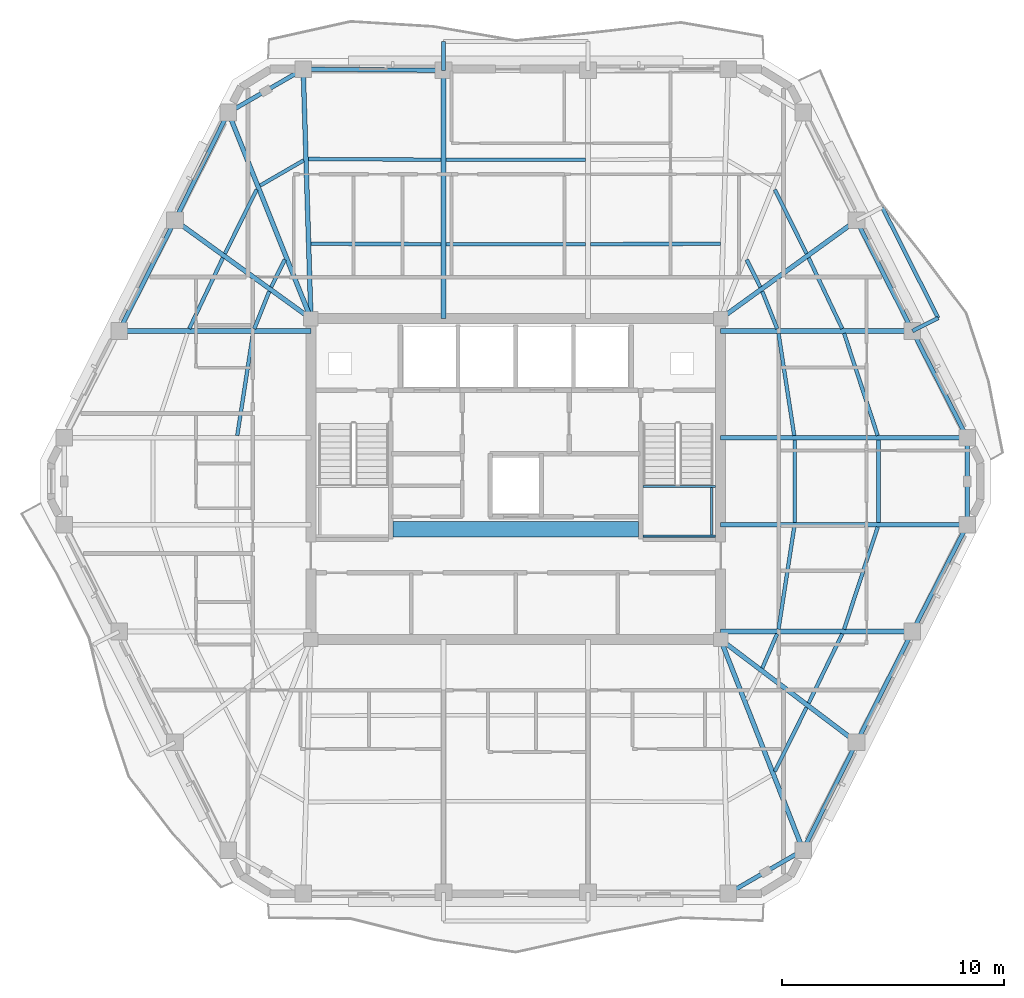
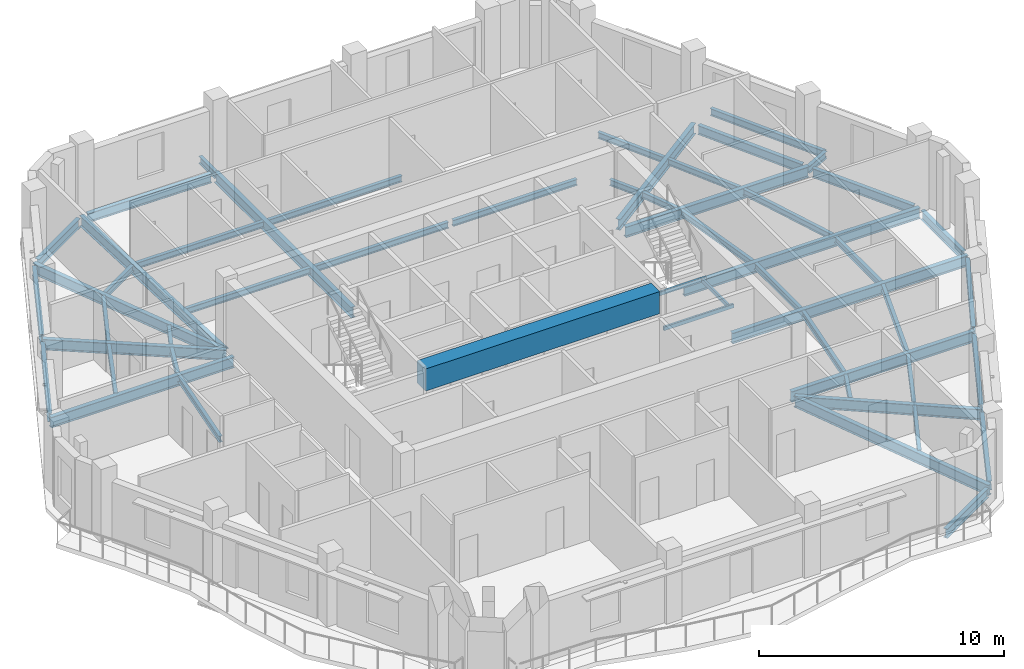
# One storey, part 2 of 11: 54 beams.
"""IFC4 building model written with IfcOpenShell, lengths in metres."""

from ifc_helpers import new_model, si_unit, direction, frame, origin, origin_2d, place, context, subcontext, project, spatial, rectangle, hollow_rectangle, i_section, extrude, material, material_profile, profile_set, type_object, element, save


model = new_model("IFC4")

# Units and contexts
model_context = context("Model", 3, precision=1e-05, world=origin(), true_north=direction((0.0, 1.0)))
body_context = subcontext(model_context, "Body", "Model", "MODEL_VIEW")
ifc_project = project(units=[si_unit("LENGTHUNIT", "METRE"), si_unit("AREAUNIT", "SQUARE_METRE"), si_unit("VOLUMEUNIT", "CUBIC_METRE"), si_unit("PLANEANGLEUNIT", "RADIAN"), si_unit("MASSUNIT", "GRAM", prefix="KILO")], contexts=[model_context])

# Site, building, storey
site_placement = place(None, origin())
site = spatial("IfcSite", under=ifc_project, at=site_placement, CompositionType="ELEMENT")
building_placement = place(site_placement, origin())
building = spatial("IfcBuilding", under=site, at=building_placement, Name="Cinnabar Lancet Tower", CompositionType="ELEMENT")
storey_placement = place(building_placement, frame((0.0, 0.0, 245.25)))
storey = spatial("IfcBuildingStorey", under=building, at=storey_placement, Name="L65", CompositionType="ELEMENT", Elevation=245.25)

# Beams
ifc_material_1 = material(Name="Concrete C70/85", Category="concrete")
ifc_material_profile_1 = material_profile(ifc_material_1, rectangle(XDim=0.699951171875, YDim=1.10009765625, at=origin_2d()), Name="RC-CB 700x1100")
ifc_profile_set_1 = profile_set([ifc_material_profile_1], Name="Concrete C70/85")
beam_type_1 = type_object("IfcBeamType", Name="STR-BM-CB-1100", PredefinedType="BEAM", material=ifc_profile_set_1)
beam_1_placement = place(storey_placement, frame((26.8798828125, 23.64990234375, 2.89990234375), z_axis=(1.0, 0.0, 0.0), x_axis=(0.0, 1.0, 0.0)))
element("IfcBeam", 1, at=beam_1_placement, inside=storey, type_object=beam_type_1, Name="L65 Core Coupling Beam", PredefinedType="BEAM", context=body_context, shape_type="SweptSolid", body=[
    extrude(rectangle(XDim=0.699951171875, YDim=1.10009765625, at=origin_2d()), origin(), (0.0, 0.0, 1.0), 11.0400390625),
])
ifc_material_2 = material(Name="Structural steel S355", Category="steel")
ifc_material_profile_2 = material_profile(ifc_material_2, i_section(OverallWidth=0.1650390625, OverallDepth=0.303466796875, WebThickness=0.006103515625, FlangeThickness=0.01025390625, FilletRadius=0.0087890625, at=origin_2d()), Name="UKB 305x165x40")
ifc_profile_set_2 = profile_set([ifc_material_profile_2], Name="Structural steel S355")
beam_type_2 = type_object("IfcBeamType", Name="STR-BM-JST-305", PredefinedType="JOIST", material=ifc_profile_set_2)
beam_2_placement = place(storey_placement, frame((44.06591796875, 12.73193359375, -0.35205078125), z_axis=(0.444391284604, 0.895832789179, 0.0), x_axis=(-0.895832789179, 0.444391284604, 0.0)))
element("IfcBeam", 2, at=beam_2_placement, inside=storey, type_object=beam_type_2, Name="L65 Secondary Floor Joist 15", PredefinedType="JOIST", context=body_context, shape_type="SweptSolid", body=[
    extrude(i_section(OverallWidth=0.1650390625, OverallDepth=0.303466796875, WebThickness=0.006103515625, FlangeThickness=0.01025390625, FilletRadius=0.0087890625, at=origin_2d()), origin(), (0.0, 0.0, 1.0), 3.220458984375),
])
beam_3_placement = place(storey_placement, frame((45.591064453125, 15.80810546875, -0.35205078125), z_axis=(0.43610936109, 0.899893674369, 0.0), x_axis=(-0.899893674369, 0.43610936109, 0.0)))
element("IfcBeam", 3, at=beam_3_placement, inside=storey, type_object=beam_type_2, Name="L65 Secondary Floor Joist 17", PredefinedType="JOIST", context=body_context, shape_type="SweptSolid", body=[
    extrude(i_section(OverallWidth=0.1650390625, OverallDepth=0.303466796875, WebThickness=0.006103515625, FlangeThickness=0.01025390625, FilletRadius=0.0087890625, at=origin_2d()), origin(), (0.0, 0.0, 1.0), 3.467041015625),
])
beam_4_placement = place(storey_placement, frame((43.5048828125, 17.385009765625, -0.35205078125), z_axis=(0.396302440144, 0.91812002262, 0.0), x_axis=(-0.91812002262, 0.396302440144, 0.0)))
element("IfcBeam", 4, at=beam_4_placement, inside=storey, type_object=beam_type_2, Name="L65 Secondary Floor Joist 18", PredefinedType="JOIST", context=body_context, shape_type="SweptSolid", body=[
    extrude(i_section(OverallWidth=0.1650390625, OverallDepth=0.303466796875, WebThickness=0.006103515625, FlangeThickness=0.01025390625, FilletRadius=0.0087890625, at=origin_2d()), origin(), (0.0, 0.0, 1.0), 1.6806640625),
])
beam_5_placement = place(storey_placement, frame((47.18798828125, 19.137939453125, -0.35205078125), z_axis=(0.312491145371, 0.949920672512, 0.0), x_axis=(-0.949920672512, 0.312491145371, 0.0)))
element("IfcBeam", 5, at=beam_5_placement, inside=storey, type_object=beam_type_2, Name="L65 Secondary Floor Joist 19", PredefinedType="JOIST", context=body_context, shape_type="SweptSolid", body=[
    extrude(i_section(OverallWidth=0.1650390625, OverallDepth=0.303466796875, WebThickness=0.006103515625, FlangeThickness=0.01025390625, FilletRadius=0.0087890625, at=origin_2d()), origin(), (0.0, 0.0, 1.0), 4.8447265625),
])
beam_6_placement = place(storey_placement, frame((44.23291015625, 19.137939453125, -0.35205078125), z_axis=(0.152262059154, 0.988340156698, 0.0), x_axis=(-0.988340156698, 0.152262059154, 0.0)))
element("IfcBeam", 6, at=beam_6_placement, inside=storey, type_object=beam_type_2, Name="L65 Secondary Floor Joist 20", PredefinedType="JOIST", context=body_context, shape_type="SweptSolid", body=[
    extrude(i_section(OverallWidth=0.1650390625, OverallDepth=0.303466796875, WebThickness=0.006103515625, FlangeThickness=0.01025390625, FilletRadius=0.0087890625, at=origin_2d()), origin(), (0.0, 0.0, 1.0), 4.65625),
])
for number, where, z_axis, x_axis, name in (
    (7, (48.737060546875, 23.949951171875, -0.35205078125), (0.0, 1.0, 0.0), (-1.0, 0.0, 0.0), "L65 Secondary Floor Joist 21"),
    (8, (44.958984375, 23.949951171875, -0.35205078125), (0.0, 1.0, 0.0), (-1.0, 0.0, 0.0), "L65 Secondary Floor Joist 22"),
):
    element("IfcBeam", number, at=place(storey_placement, frame(where, z_axis=z_axis, x_axis=x_axis)), inside=storey, type_object=beam_type_2, Name=name, PredefinedType="JOIST", context=body_context, shape_type="SweptSolid", body=[
        extrude(i_section(OverallWidth=0.1650390625, OverallDepth=0.303466796875, WebThickness=0.006103515625, FlangeThickness=0.01025390625, FilletRadius=0.0087890625, at=origin_2d()), origin(), (0.0, 0.0, 1.0), 3.699951171875),
    ])
beam_7_placement = place(storey_placement, frame((48.701904296875, 27.860107421875, -0.35205078125), z_axis=(-0.312506104996, 0.94991575118, 0.0), x_axis=(-0.94991575118, -0.312506104996, 0.0)))
element("IfcBeam", 9, at=beam_7_placement, inside=storey, type_object=beam_type_2, Name="L65 Secondary Floor Joist 23", PredefinedType="JOIST", context=body_context, shape_type="SweptSolid", body=[
    extrude(i_section(OverallWidth=0.1650390625, OverallDepth=0.303466796875, WebThickness=0.006103515625, FlangeThickness=0.01025390625, FilletRadius=0.0087890625, at=origin_2d()), origin(), (0.0, 0.0, 1.0), 4.844482421875),
])
beam_8_placement = place(storey_placement, frame((44.94189453125, 27.860107421875, -0.35205078125), z_axis=(-0.152269949853, 0.988338941038, 0.0), x_axis=(-0.988338941038, -0.152269949853, 0.0)))
element("IfcBeam", 10, at=beam_8_placement, inside=storey, type_object=beam_type_2, Name="L65 Secondary Floor Joist 24", PredefinedType="JOIST", context=body_context, shape_type="SweptSolid", body=[
    extrude(i_section(OverallWidth=0.1650390625, OverallDepth=0.303466796875, WebThickness=0.006103515625, FlangeThickness=0.01025390625, FilletRadius=0.0087890625, at=origin_2d()), origin(), (0.0, 0.0, 1.0), 4.656005859375),
])
beam_9_placement = place(storey_placement, frame((47.10400390625, 32.672119140625, -0.35205078125), z_axis=(-0.428647868514, 0.903471640296, 0.0), x_axis=(-0.903471640296, -0.428647868514, 0.0)))
element("IfcBeam", 11, at=beam_9_placement, inside=storey, type_object=beam_type_2, Name="L65 Secondary Floor Joist 25", PredefinedType="JOIST", context=body_context, shape_type="SweptSolid", body=[
    extrude(i_section(OverallWidth=0.1650390625, OverallDepth=0.303466796875, WebThickness=0.006103515625, FlangeThickness=0.01025390625, FilletRadius=0.0087890625, at=origin_2d()), origin(), (0.0, 0.0, 1.0), 3.53173828125),
])
beam_10_placement = place(storey_placement, frame((44.175048828125, 32.672119140625, -0.35205078125), z_axis=(-0.37155332079, 0.928411616585, 0.0), x_axis=(-0.928411616585, -0.37155332079, 0.0)))
element("IfcBeam", 12, at=beam_10_placement, inside=storey, type_object=beam_type_2, Name="L65 Secondary Floor Joist 26", PredefinedType="JOIST", context=body_context, shape_type="SweptSolid", body=[
    extrude(i_section(OverallWidth=0.1650390625, OverallDepth=0.303466796875, WebThickness=0.006103515625, FlangeThickness=0.01025390625, FilletRadius=0.0087890625, at=origin_2d()), origin(), (0.0, 0.0, 1.0), 1.8115234375),
])
beam_11_placement = place(storey_placement, frame((45.4970703125, 36.054931640625, -0.35205078125), z_axis=(-0.44427059531, 0.895892648783, 0.0), x_axis=(-0.895892648783, -0.44427059531, 0.0)))
element("IfcBeam", 13, at=beam_11_placement, inside=storey, type_object=beam_type_2, Name="L65 Secondary Floor Joist 27", PredefinedType="JOIST", context=body_context, shape_type="SweptSolid", body=[
    extrude(i_section(OverallWidth=0.1650390625, OverallDepth=0.303466796875, WebThickness=0.006103515625, FlangeThickness=0.01025390625, FilletRadius=0.0087890625, at=origin_2d()), origin(), (0.0, 0.0, 1.0), 3.221435546875),
])
beam_12_placement = place(storey_placement, frame((43.4150390625, 34.549072265625, -0.35205078125), z_axis=(-0.444661746427, 0.895698571655, 0.0), x_axis=(-0.895698571655, -0.444661746427, 0.0)))
element("IfcBeam", 14, at=beam_12_placement, inside=storey, type_object=beam_type_2, Name="L65 Secondary Floor Joist 28", PredefinedType="JOIST", context=body_context, shape_type="SweptSolid", body=[
    extrude(i_section(OverallWidth=0.1650390625, OverallDepth=0.303466796875, WebThickness=0.006103515625, FlangeThickness=0.01025390625, FilletRadius=0.0087890625, at=origin_2d()), origin(), (0.0, 0.0, 1.0), 1.378662109375),
])
beam_13_placement = place(storey_placement, frame((41.6240234375, 36.49609375, -0.35205078125), z_axis=(-0.999996226008, -0.002747356738, 0.0), x_axis=(0.002747356738, -0.999996226008, 0.0)))
element("IfcBeam", 15, at=beam_13_placement, inside=storey, type_object=beam_type_2, Name="L65 Secondary Floor Joist 31", PredefinedType="JOIST", context=body_context, shape_type="SweptSolid", body=[
    extrude(i_section(OverallWidth=0.1650390625, OverallDepth=0.303466796875, WebThickness=0.006103515625, FlangeThickness=0.01025390625, FilletRadius=0.0087890625, at=origin_2d()), origin(), (0.0, 0.0, 1.0), 5.864990234375),
])
for number, where, z_axis, x_axis, name in (
    (16, (35.549072265625, 40.281982421875, -0.35205078125), (-1.0, 0.0, 0.0), (0.0, -1.0, 0.0), "L65 Secondary Floor Joist 32"),
    (17, (35.549072265625, 36.47998046875, -0.35205078125), (-1.0, 0.0, 0.0), (0.0, -1.0, 0.0), "L65 Secondary Floor Joist 33"),
):
    element("IfcBeam", number, at=place(storey_placement, frame(where, z_axis=z_axis, x_axis=x_axis)), inside=storey, type_object=beam_type_2, Name=name, PredefinedType="JOIST", context=body_context, shape_type="SweptSolid", body=[
        extrude(i_section(OverallWidth=0.1650390625, OverallDepth=0.303466796875, WebThickness=0.006103515625, FlangeThickness=0.01025390625, FilletRadius=0.0087890625, at=origin_2d()), origin(), (0.0, 0.0, 1.0), 6.298095703125),
    ])
beam_14_placement = place(storey_placement, frame((29.041015625, 40.282958984375, -0.35205078125), z_axis=(-0.999985712428, 0.005345553266, 0.0), x_axis=(-0.005345553266, -0.999985712428, 0.0)))
element("IfcBeam", 18, at=beam_14_placement, inside=storey, type_object=beam_type_2, Name="L65 Secondary Floor Joist 34", PredefinedType="JOIST", context=body_context, shape_type="SweptSolid", body=[
    extrude(i_section(OverallWidth=0.1650390625, OverallDepth=0.303466796875, WebThickness=0.006103515625, FlangeThickness=0.01025390625, FilletRadius=0.0087890625, at=origin_2d()), origin(), (0.0, 0.0, 1.0), 5.98291015625),
])
beam_15_placement = place(storey_placement, frame((29.041015625, 36.47998046875, -0.35205078125), z_axis=(-0.999996226008, 0.002747356738, 0.0), x_axis=(-0.002747356738, -0.999996226008, 0.0)))
element("IfcBeam", 19, at=beam_15_placement, inside=storey, type_object=beam_type_2, Name="L65 Secondary Floor Joist 35", PredefinedType="JOIST", context=body_context, shape_type="SweptSolid", body=[
    extrude(i_section(OverallWidth=0.1650390625, OverallDepth=0.303466796875, WebThickness=0.006103515625, FlangeThickness=0.01025390625, FilletRadius=0.0087890625, at=origin_2d()), origin(), (0.0, 0.0, 1.0), 5.864990234375),
])
beam_16_placement = place(storey_placement, frame((22.85009765625, 40.256103515625, -0.35205078125), z_axis=(-0.865426285481, -0.501036270542, 0.0), x_axis=(0.501036270542, -0.865426285481, 0.0)))
element("IfcBeam", 20, at=beam_16_placement, inside=storey, type_object=beam_type_2, Name="L65 Secondary Floor Joist 36", PredefinedType="JOIST", context=body_context, shape_type="SweptSolid", body=[
    extrude(i_section(OverallWidth=0.1650390625, OverallDepth=0.303466796875, WebThickness=0.006103515625, FlangeThickness=0.01025390625, FilletRadius=0.0087890625, at=origin_2d()), origin(), (0.0, 0.0, 1.0), 2.267333984375),
])
beam_17_placement = place(storey_placement, frame((20.73388671875, 38.94091796875, -0.35205078125), z_axis=(-0.444209762814, -0.89592281287, 0.0), x_axis=(0.89592281287, -0.444209762814, 0.0)))
element("IfcBeam", 21, at=beam_17_placement, inside=storey, type_object=beam_type_2, Name="L65 Secondary Floor Joist 37", PredefinedType="JOIST", context=body_context, shape_type="SweptSolid", body=[
    extrude(i_section(OverallWidth=0.1650390625, OverallDepth=0.303466796875, WebThickness=0.006103515625, FlangeThickness=0.01025390625, FilletRadius=0.0087890625, at=origin_2d()), origin(), (0.0, 0.0, 1.0), 3.22119140625),
])
beam_18_placement = place(storey_placement, frame((21.998046875, 35.783935546875, -0.35205078125), z_axis=(-0.444661746427, -0.895698571655, 0.0), x_axis=(0.895698571655, -0.444661746427, 0.0)))
element("IfcBeam", 22, at=beam_18_placement, inside=storey, type_object=beam_type_2, Name="L65 Secondary Floor Joist 38", PredefinedType="JOIST", context=body_context, shape_type="SweptSolid", body=[
    extrude(i_section(OverallWidth=0.1650390625, OverallDepth=0.303466796875, WebThickness=0.006103515625, FlangeThickness=0.01025390625, FilletRadius=0.0087890625, at=origin_2d()), origin(), (0.0, 0.0, 1.0), 1.378662109375),
])
beam_19_placement = place(storey_placement, frame((19.2099609375, 35.863037109375, -0.35205078125), z_axis=(-0.428647868514, -0.903471640296, 0.0), x_axis=(0.903471640296, -0.428647868514, 0.0)))
element("IfcBeam", 23, at=beam_19_placement, inside=storey, type_object=beam_type_2, Name="L65 Secondary Floor Joist 39", PredefinedType="JOIST", context=body_context, shape_type="SweptSolid", body=[
    extrude(i_section(OverallWidth=0.1650390625, OverallDepth=0.303466796875, WebThickness=0.006103515625, FlangeThickness=0.01025390625, FilletRadius=0.0087890625, at=origin_2d()), origin(), (0.0, 0.0, 1.0), 3.53173828125),
])
beam_20_placement = place(storey_placement, frame((21.298095703125, 34.35400390625, -0.35205078125), z_axis=(-0.37155332079, -0.928411616585, 0.0), x_axis=(0.928411616585, -0.37155332079, 0.0)))
element("IfcBeam", 24, at=beam_20_placement, inside=storey, type_object=beam_type_2, Name="L65 Secondary Floor Joist 40", PredefinedType="JOIST", context=body_context, shape_type="SweptSolid", body=[
    extrude(i_section(OverallWidth=0.1650390625, OverallDepth=0.303466796875, WebThickness=0.006103515625, FlangeThickness=0.01025390625, FilletRadius=0.0087890625, at=origin_2d()), origin(), (0.0, 0.0, 1.0), 1.8115234375),
])
beam_21_placement = place(storey_placement, frame((20.56689453125, 32.4619140625, -0.35205078125), z_axis=(-0.152269949853, -0.988338941038, 0.0), x_axis=(0.988338941038, -0.152269949853, 0.0)))
element("IfcBeam", 25, at=beam_21_placement, inside=storey, type_object=beam_type_2, Name="L65 Secondary Floor Joist 42", PredefinedType="JOIST", context=body_context, shape_type="SweptSolid", body=[
    extrude(i_section(OverallWidth=0.1650390625, OverallDepth=0.303466796875, WebThickness=0.006103515625, FlangeThickness=0.01025390625, FilletRadius=0.0087890625, at=origin_2d()), origin(), (0.0, 0.0, 1.0), 4.656005859375),
])
ifc_material_3 = material(Name="Structural steel S355", Category="steel")
ifc_material_profile_3 = material_profile(ifc_material_3, hollow_rectangle(XDim=0.10009765625, YDim=0.199951171875, WallThickness=0.008056640625, InnerFilletRadius=0.00390625, OuterFilletRadius=0.011962890625, at=origin_2d()), Name="RHS 200x100x8")
ifc_profile_set_3 = profile_set([ifc_material_profile_3], Name="Structural steel S355")
beam_type_3 = type_object("IfcBeamType", Name="STR-BM-LND-203", PredefinedType="BEAM", material=ifc_profile_set_3)
for number, where, z_axis, x_axis, name in (
    (26, (38.1201171875, 23.330078125, 1.52490234375), (1.0, 0.0, 0.0), (0.0, 1.0, 0.0), "L65 ST-2-L65 Landing Support Beam S"),
    (27, (38.1201171875, 25.570068359375, 1.52490234375), (1.0, 0.0, 0.0), (0.0, 1.0, 0.0), "L65 ST-2-L65 Landing Support Beam N"),
):
    element("IfcBeam", number, at=place(storey_placement, frame(where, z_axis=z_axis, x_axis=x_axis)), inside=storey, type_object=beam_type_3, Name=name, PredefinedType="BEAM", context=body_context, shape_type="SweptSolid", body=[
        extrude(hollow_rectangle(XDim=0.10009765625, YDim=0.199951171875, WallThickness=0.008056640625, InnerFilletRadius=0.00390625, OuterFilletRadius=0.011962890625, at=origin_2d()), origin(), (0.0, 0.0, 1.0), 3.27978515625),
    ])
beam_22_placement = place(storey_placement, frame((41.219970703125, 23.3798828125, 1.52490234375), z_axis=(0.0, 1.0, 0.0), x_axis=(-1.0, 0.0, 0.0)))
element("IfcBeam", 28, at=beam_22_placement, inside=storey, type_object=beam_type_3, Name="L65 ST-2-L65 Landing Side Trimmer Beam", PredefinedType="BEAM", context=body_context, shape_type="SweptSolid", body=[
    extrude(hollow_rectangle(XDim=0.10009765625, YDim=0.199951171875, WallThickness=0.008056640625, InnerFilletRadius=0.00390625, OuterFilletRadius=0.011962890625, at=origin_2d()), origin(), (0.0, 0.0, 1.0), 2.14013671875),
])
ifc_material_4 = material(Name="Structural steel S355", Category="steel")
ifc_material_profile_4 = material_profile(ifc_material_4, i_section(OverallWidth=0.1904296875, OverallDepth=0.45703125, WebThickness=0.009033203125, FlangeThickness=0.014404296875, FilletRadius=0.01025390625, at=origin_2d()), Name="UKB 457x191x74")
ifc_profile_set_4 = profile_set([ifc_material_profile_4], Name="Structural steel S355")
beam_type_4 = type_object("IfcBeamType", Name="STR-BM-SPN-457", PredefinedType="SPANDREL", material=ifc_profile_set_4)
beam_23_placement = place(storey_placement, frame((42.18798828125, 7.364013671875, -0.427978515625), z_axis=(0.865230894194, 0.50137361292, 0.0), x_axis=(-0.50137361292, 0.865230894194, 0.0)))
element("IfcBeam", 29, at=beam_23_placement, inside=storey, type_object=beam_type_4, Name="L65 Perimeter Spandrel 4", PredefinedType="SPANDREL", context=body_context, shape_type="SweptSolid", body=[
    extrude(i_section(OverallWidth=0.1904296875, OverallDepth=0.45703125, WebThickness=0.009033203125, FlangeThickness=0.014404296875, FilletRadius=0.01025390625, at=origin_2d()), origin(), (0.0, 0.0, 1.0), 3.39453125),
])
beam_24_placement = place(storey_placement, frame((45.451904296875, 9.4150390625, -0.427978515625), z_axis=(0.444372599207, 0.895842058107, 0.0), x_axis=(-0.895842058107, 0.444372599207, 0.0)))
element("IfcBeam", 30, at=beam_24_placement, inside=storey, type_object=beam_type_4, Name="L65 Perimeter Spandrel 5", PredefinedType="SPANDREL", context=body_context, shape_type="SweptSolid", body=[
    extrude(i_section(OverallWidth=0.1904296875, OverallDepth=0.45703125, WebThickness=0.009033203125, FlangeThickness=0.014404296875, FilletRadius=0.01025390625, at=origin_2d()), origin(), (0.0, 0.0, 1.0), 4.91943359375),
])
beam_25_placement = place(storey_placement, frame((47.862060546875, 14.26904296875, -0.427978515625), z_axis=(0.450091864122, 0.892982258419, 0.0), x_axis=(-0.892982258419, 0.450091864122, 0.0)))
element("IfcBeam", 31, at=beam_25_placement, inside=storey, type_object=beam_type_4, Name="L65 Perimeter Spandrel 6", PredefinedType="SPANDREL", context=body_context, shape_type="SweptSolid", body=[
    extrude(i_section(OverallWidth=0.1904296875, OverallDepth=0.45703125, WebThickness=0.009033203125, FlangeThickness=0.014404296875, FilletRadius=0.01025390625, at=origin_2d()), origin(), (0.0, 0.0, 1.0), 5.085205078125),
])
beam_26_placement = place(storey_placement, frame((50.3779296875, 19.2548828125, -0.427978515625), z_axis=(0.457127852293, 0.889400993174, 0.0), x_axis=(-0.889400993174, 0.457127852293, 0.0)))
element("IfcBeam", 32, at=beam_26_placement, inside=storey, type_object=beam_type_4, Name="L65 Perimeter Spandrel 7", PredefinedType="SPANDREL", context=body_context, shape_type="SweptSolid", body=[
    extrude(i_section(OverallWidth=0.1904296875, OverallDepth=0.45703125, WebThickness=0.009033203125, FlangeThickness=0.014404296875, FilletRadius=0.01025390625, at=origin_2d()), origin(), (0.0, 0.0, 1.0), 4.911376953125),
])
beam_27_placement = place(storey_placement, frame((52.737060546875, 24.094970703125, -0.427978515625), z_axis=(0.0, 1.0, 0.0), x_axis=(-1.0, 0.0, 0.0)))
element("IfcBeam", 33, at=beam_27_placement, inside=storey, type_object=beam_type_4, Name="L65 Perimeter Spandrel 8", PredefinedType="SPANDREL", context=body_context, shape_type="SweptSolid", body=[
    extrude(i_section(OverallWidth=0.1904296875, OverallDepth=0.45703125, WebThickness=0.009033203125, FlangeThickness=0.014404296875, FilletRadius=0.01025390625, at=origin_2d()), origin(), (0.0, 0.0, 1.0), 3.409912109375),
])
beam_28_placement = place(storey_placement, frame((52.623046875, 27.97705078125, -0.427978515625), z_axis=(-0.457148063427, 0.889390604912, 0.0), x_axis=(-0.889390604912, -0.457148063427, 0.0)))
element("IfcBeam", 34, at=beam_28_placement, inside=storey, type_object=beam_type_4, Name="L65 Perimeter Spandrel 9", PredefinedType="SPANDREL", context=body_context, shape_type="SweptSolid", body=[
    extrude(i_section(OverallWidth=0.1904296875, OverallDepth=0.45703125, WebThickness=0.009033203125, FlangeThickness=0.014404296875, FilletRadius=0.01025390625, at=origin_2d()), origin(), (0.0, 0.0, 1.0), 4.9111328125),
])
beam_29_placement = place(storey_placement, frame((50.15087890625, 32.7900390625, -0.427978515625), z_axis=(-0.450091864122, 0.892982258419, 0.0), x_axis=(-0.892982258419, -0.450091864122, 0.0)))
element("IfcBeam", 35, at=beam_29_placement, inside=storey, type_object=beam_type_4, Name="L65 Perimeter Spandrel 10", PredefinedType="SPANDREL", context=body_context, shape_type="SweptSolid", body=[
    extrude(i_section(OverallWidth=0.1904296875, OverallDepth=0.45703125, WebThickness=0.009033203125, FlangeThickness=0.014404296875, FilletRadius=0.01025390625, at=origin_2d()), origin(), (0.0, 0.0, 1.0), 5.085205078125),
])
beam_30_placement = place(storey_placement, frame((28.89599609375, 44.31005859375, -0.427978515625), z_axis=(-0.999964785419, 0.008392134492, 0.0), x_axis=(-0.008392134492, -0.999964785419, 0.0)))
element("IfcBeam", 36, at=beam_30_placement, inside=storey, type_object=beam_type_4, Name="L65 Perimeter Spandrel 15", PredefinedType="SPANDREL", context=body_context, shape_type="SweptSolid", body=[
    extrude(i_section(OverallWidth=0.1904296875, OverallDepth=0.45703125, WebThickness=0.009033203125, FlangeThickness=0.014404296875, FilletRadius=0.01025390625, at=origin_2d()), origin(), (0.0, 0.0, 1.0), 5.818359375),
])
beam_31_placement = place(storey_placement, frame((22.612060546875, 44.236083984375, -0.427978515625), z_axis=(-0.865199693264, -0.501427453153, 0.0), x_axis=(0.501427453153, -0.865199693264, 0.0)))
element("IfcBeam", 37, at=beam_31_placement, inside=storey, type_object=beam_type_4, Name="L65 Perimeter Spandrel 16", PredefinedType="SPANDREL", context=body_context, shape_type="SweptSolid", body=[
    extrude(i_section(OverallWidth=0.1904296875, OverallDepth=0.45703125, WebThickness=0.009033203125, FlangeThickness=0.014404296875, FilletRadius=0.01025390625, at=origin_2d()), origin(), (0.0, 0.0, 1.0), 3.39453125),
])
beam_32_placement = place(storey_placement, frame((19.347900390625, 42.18505859375, -0.427978515625), z_axis=(-0.44433276947, -0.895861814107, 0.0), x_axis=(0.895861814107, -0.44433276947, 0.0)))
element("IfcBeam", 38, at=beam_32_placement, inside=storey, type_object=beam_type_4, Name="L65 Perimeter Spandrel 17", PredefinedType="SPANDREL", context=body_context, shape_type="SweptSolid", body=[
    extrude(i_section(OverallWidth=0.1904296875, OverallDepth=0.45703125, WebThickness=0.009033203125, FlangeThickness=0.014404296875, FilletRadius=0.01025390625, at=origin_2d()), origin(), (0.0, 0.0, 1.0), 4.919189453125),
])
beam_33_placement = place(storey_placement, frame((16.93798828125, 37.3310546875, -0.427978515625), z_axis=(-0.450130146726, -0.892962961722, 0.0), x_axis=(0.892962961722, -0.450130146726, 0.0)))
element("IfcBeam", 39, at=beam_33_placement, inside=storey, type_object=beam_type_4, Name="L65 Perimeter Spandrel 18", PredefinedType="SPANDREL", context=body_context, shape_type="SweptSolid", body=[
    extrude(i_section(OverallWidth=0.1904296875, OverallDepth=0.45703125, WebThickness=0.009033203125, FlangeThickness=0.014404296875, FilletRadius=0.01025390625, at=origin_2d()), origin(), (0.0, 0.0, 1.0), 5.08544921875),
])
ifc_material_5 = material(Name="Structural steel S355", Category="steel")
ifc_material_profile_5 = material_profile(ifc_material_5, i_section(OverallWidth=0.209228515625, OverallDepth=0.533203125, WebThickness=0.010009765625, FlangeThickness=0.015625, FilletRadius=0.0126953125, at=origin_2d()), Name="UKB 533x210x92")
ifc_profile_set_5 = profile_set([ifc_material_profile_5], Name="Structural steel S355")
beam_type_5 = type_object("IfcBeamType", Name="STR-BM-UKB533-92", PredefinedType="BEAM", material=ifc_profile_set_5)
beam_34_placement = place(storey_placement, frame((47.7490234375, 14.0458984375, -0.467041015625), z_axis=(-0.797735075719, 0.603008083667, 0.0), x_axis=(-0.603008083667, -0.797735075719, 0.0)))
element("IfcBeam", 40, at=beam_34_placement, inside=storey, type_object=beam_type_5, Name="L65 Corner Collector Girder 2", PredefinedType="BEAM", context=body_context, shape_type="SweptSolid", body=[
    extrude(i_section(OverallWidth=0.209228515625, OverallDepth=0.533203125, WebThickness=0.010009765625, FlangeThickness=0.015625, FilletRadius=0.0126953125, at=origin_2d()), origin(), (0.0, 0.0, 1.0), 7.6767578125),
])
for number, where, z_axis, x_axis, name in (
    (41, (47.7490234375, 37.553955078125, -0.467041015625), (-0.810299148474, -0.586016458797, 0.0), (0.586016458797, -0.810299148474, 0.0), "L65 Corner Collector Girder 3"),
    (42, (17.051025390625, 37.553955078125, -0.467041015625), (0.810299148474, -0.586016458797, 0.0), (0.586016458797, 0.810299148474, 0.0), "L65 Corner Collector Girder 4"),
):
    element("IfcBeam", number, at=place(storey_placement, frame(where, z_axis=z_axis, x_axis=x_axis)), inside=storey, type_object=beam_type_5, Name=name, PredefinedType="BEAM", context=body_context, shape_type="SweptSolid", body=[
        extrude(i_section(OverallWidth=0.209228515625, OverallDepth=0.533203125, WebThickness=0.010009765625, FlangeThickness=0.015625, FilletRadius=0.0126953125, at=origin_2d()), origin(), (0.0, 0.0, 1.0), 7.5576171875),
    ])
beam_35_placement = place(storey_placement, frame((45.341064453125, 9.19091796875, -0.467041015625), z_axis=(-0.364815017375, 0.931080019707, 0.0), x_axis=(-0.931080019707, -0.364815017375, 0.0)))
element("IfcBeam", 43, at=beam_35_placement, inside=storey, type_object=beam_type_5, Name="L65 Primary Floor Girder 5", PredefinedType="BEAM", context=body_context, shape_type="SweptSolid", body=[
    extrude(i_section(OverallWidth=0.209228515625, OverallDepth=0.533203125, WebThickness=0.010009765625, FlangeThickness=0.015625, FilletRadius=0.0126953125, at=origin_2d()), origin(), (0.0, 0.0, 1.0), 10.186279296875),
])
beam_36_placement = place(storey_placement, frame((50.263916015625, 19.032958984375, -0.467041015625), z_axis=(-1.0, 0.0, 0.0), x_axis=(0.0, -1.0, 0.0)))
element("IfcBeam", 44, at=beam_36_placement, inside=storey, type_object=beam_type_5, Name="L65 Primary Floor Girder 7", PredefinedType="BEAM", context=body_context, shape_type="SweptSolid", body=[
    extrude(i_section(OverallWidth=0.209228515625, OverallDepth=0.533203125, WebThickness=0.010009765625, FlangeThickness=0.015625, FilletRadius=0.0126953125, at=origin_2d()), origin(), (0.0, 0.0, 1.0), 8.638916015625),
])
for number, where, z_axis, x_axis, name in (
    (45, (52.737060546875, 23.844970703125, -0.467041015625), (-1.0, 0.0, 0.0), (0.0, -1.0, 0.0), "L65 Primary Floor Girder 8"),
    (46, (52.737060546875, 27.7548828125, -0.467041015625), (-1.0, 0.0, 0.0), (0.0, -1.0, 0.0), "L65 Primary Floor Girder 9"),
):
    element("IfcBeam", number, at=place(storey_placement, frame(where, z_axis=z_axis, x_axis=x_axis)), inside=storey, type_object=beam_type_5, Name=name, PredefinedType="BEAM", context=body_context, shape_type="SweptSolid", body=[
        extrude(i_section(OverallWidth=0.209228515625, OverallDepth=0.533203125, WebThickness=0.010009765625, FlangeThickness=0.015625, FilletRadius=0.0126953125, at=origin_2d()), origin(), (0.0, 0.0, 1.0), 11.112060546875),
    ])
beam_37_placement = place(storey_placement, frame((50.263916015625, 32.56689453125, -0.467041015625), z_axis=(-1.0, 0.0, 0.0), x_axis=(0.0, -1.0, 0.0)))
element("IfcBeam", 47, at=beam_37_placement, inside=storey, type_object=beam_type_5, Name="L65 Primary Floor Girder 10", PredefinedType="BEAM", context=body_context, shape_type="SweptSolid", body=[
    extrude(i_section(OverallWidth=0.209228515625, OverallDepth=0.533203125, WebThickness=0.010009765625, FlangeThickness=0.015625, FilletRadius=0.0126953125, at=origin_2d()), origin(), (0.0, 0.0, 1.0), 8.638916015625),
])
beam_38_placement = place(storey_placement, frame((29.14599609375, 44.30810546875, -0.467041015625), z_axis=(0.0, -1.0, 0.0), x_axis=(1.0, 0.0, 0.0)))
element("IfcBeam", 48, at=beam_38_placement, inside=storey, type_object=beam_type_5, Name="L65 Primary Floor Girder 15", PredefinedType="BEAM", context=body_context, shape_type="SweptSolid", body=[
    extrude(i_section(OverallWidth=0.209228515625, OverallDepth=0.533203125, WebThickness=0.010009765625, FlangeThickness=0.015625, FilletRadius=0.0126953125, at=origin_2d()), origin(), (0.0, 0.0, 1.0), 11.18310546875),
])
beam_39_placement = place(storey_placement, frame((22.827880859375, 44.361083984375, -0.467041015625), z_axis=(0.030882856862, -0.999523010817, 0.0), x_axis=(0.999523010817, 0.030882856862, 0.0)))
element("IfcBeam", 49, at=beam_39_placement, inside=storey, type_object=beam_type_5, Name="L65 Primary Floor Girder 16", PredefinedType="BEAM", context=body_context, shape_type="SweptSolid", body=[
    extrude(i_section(OverallWidth=0.209228515625, OverallDepth=0.533203125, WebThickness=0.010009765625, FlangeThickness=0.015625, FilletRadius=0.0126953125, at=origin_2d()), origin(), (0.0, 0.0, 1.0), 11.241455078125),
])
beam_40_placement = place(storey_placement, frame((19.458984375, 42.408935546875, -0.467041015625), z_axis=(0.371605341166, -0.928390796172, 0.0), x_axis=(0.928390796172, 0.371605341166, 0.0)))
element("IfcBeam", 50, at=beam_40_placement, inside=storey, type_object=beam_type_5, Name="L65 Primary Floor Girder 17", PredefinedType="BEAM", context=body_context, shape_type="SweptSolid", body=[
    extrude(i_section(OverallWidth=0.209228515625, OverallDepth=0.533203125, WebThickness=0.010009765625, FlangeThickness=0.015625, FilletRadius=0.0126953125, at=origin_2d()), origin(), (0.0, 0.0, 1.0), 10.0),
])
beam_41_placement = place(storey_placement, frame((14.535888671875, 32.56689453125, -0.467041015625), z_axis=(1.0, 0.0, 0.0), x_axis=(0.0, 1.0, 0.0)))
element("IfcBeam", 51, at=beam_41_placement, inside=storey, type_object=beam_type_5, Name="L65 Primary Floor Girder 19", PredefinedType="BEAM", context=body_context, shape_type="SweptSolid", body=[
    extrude(i_section(OverallWidth=0.209228515625, OverallDepth=0.533203125, WebThickness=0.010009765625, FlangeThickness=0.015625, FilletRadius=0.0126953125, at=origin_2d()), origin(), (0.0, 0.0, 1.0), 8.63916015625),
])
ifc_material_6 = material(Name="Structural steel S355", Category="steel")
ifc_material_profile_6 = material_profile(ifc_material_6, i_section(OverallWidth=0.17138671875, OverallDepth=0.35498046875, WebThickness=0.00732421875, FlangeThickness=0.011474609375, FilletRadius=0.01025390625, at=origin_2d()), Name="UKB 356x171x51")
ifc_profile_set_6 = profile_set([ifc_material_profile_6], Name="Structural steel S355")
beam_type_6 = type_object("IfcBeamType", Name="STR-BM-WAV-OUT", PredefinedType="BEAM", material=ifc_profile_set_6)
beam_42_placement = place(storey_placement, frame((50.263916015625, 32.56689453125, -0.39794921875), z_axis=(0.892238560088, 0.451564338597, 0.0), x_axis=(-0.451564338597, 0.892238560088, 0.0)))
element("IfcBeam", 52, at=beam_42_placement, inside=storey, type_object=beam_type_6, Name="L65 Face 3 Balcony Outlooker A", PredefinedType="BEAM", context=body_context, shape_type="SweptSolid", body=[
    extrude(i_section(OverallWidth=0.17138671875, OverallDepth=0.35498046875, WebThickness=0.00732421875, FlangeThickness=0.011474609375, FilletRadius=0.01025390625, at=origin_2d()), origin(), (0.0, 0.0, 1.0), 1.30029296875),
])
beam_43_placement = place(storey_placement, frame((29.14599609375, 44.30810546875, -0.39794921875), z_axis=(0.0, 1.0, 0.0), x_axis=(-1.0, 0.0, 0.0)))
element("IfcBeam", 53, at=beam_43_placement, inside=storey, type_object=beam_type_6, Name="L65 Face 4 Balcony Outlooker B", PredefinedType="BEAM", context=body_context, shape_type="SweptSolid", body=[
    extrude(i_section(OverallWidth=0.17138671875, OverallDepth=0.35498046875, WebThickness=0.00732421875, FlangeThickness=0.011474609375, FilletRadius=0.01025390625, at=origin_2d()), origin(), (0.0, 0.0, 1.0), 1.2998046875),
])
ifc_material_7 = material(Name="Structural steel S355", Category="steel")
ifc_material_profile_7 = material_profile(ifc_material_7, i_section(OverallWidth=0.17138671875, OverallDepth=0.35498046875, WebThickness=0.00732421875, FlangeThickness=0.011474609375, FilletRadius=0.01025390625, at=origin_2d()), Name="UKB 356x171x51")
ifc_profile_set_7 = profile_set([ifc_material_profile_7], Name="Structural steel S355")
beam_type_7 = type_object("IfcBeamType", Name="STR-BM-WAV-TRIM", PredefinedType="SPANDREL", material=ifc_profile_set_7)
beam_44_placement = place(storey_placement, frame((51.424072265625, 33.154052734375, -0.39794921875), z_axis=(-0.450305622338, 0.892874485295, 0.0), x_axis=(-0.892874485295, -0.450305622338, 0.0)))
element("IfcBeam", 54, at=beam_44_placement, inside=storey, type_object=beam_type_7, Name="L65 Face 3 Balcony Edge Trimmer", PredefinedType="SPANDREL", context=body_context, shape_type="SweptSolid", body=[
    extrude(i_section(OverallWidth=0.17138671875, OverallDepth=0.35498046875, WebThickness=0.00732421875, FlangeThickness=0.011474609375, FilletRadius=0.01025390625, at=origin_2d()), origin(), (0.0, 0.0, 1.0), 5.58544921875),
])

save(model, "model.ifc")
